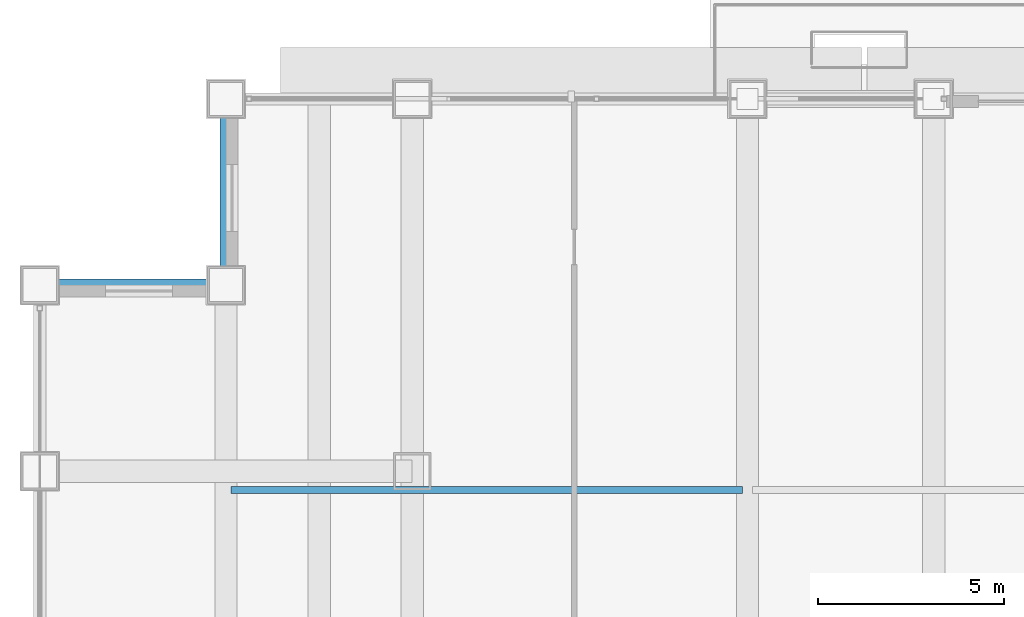
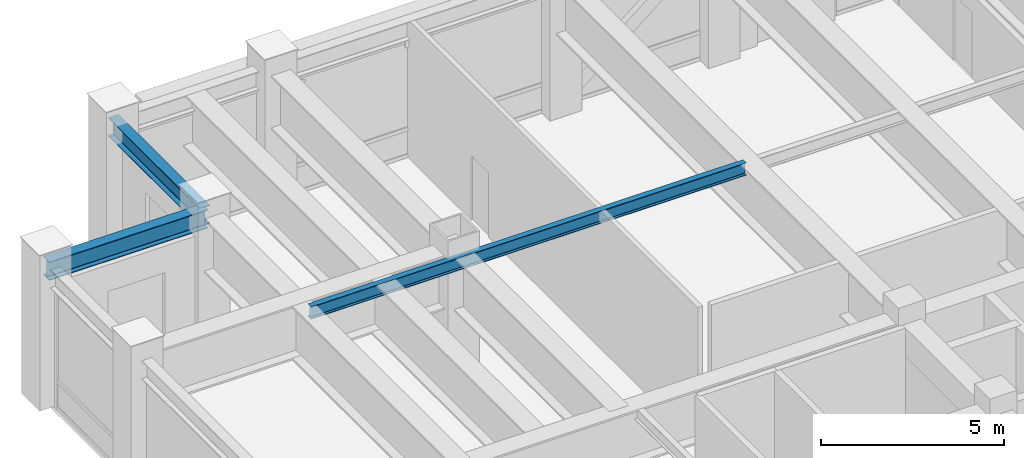
# One storey, part 15 of 33: 3 beams.
"""IFC4 building model written with IfcOpenShell, lengths in metres."""

import ifcopenshell
import ifcopenshell.guid

model = None  # the IFC model being written
_history = None  # IfcOwnerHistory: only IFC2X3 demands one
_inside = {}  # id of a spatial element -> (the spatial element, [elements in it])
_under = {}  # id of a project, library or spatial element -> (it, [spatial elements below it])
_declared = {}  # id of a project -> (the project, [libraries it declares])
_typed = {}  # id of a type object -> (the type object, [elements of that type])
_made_of = {}  # id of a material, layer set ... -> (it, [elements and type objects made of it])


def new_model(schema):
    """Start an empty IFC model of exactly this schema.

    Asked for "IFC4X3", IfcOpenShell would pick the latest addendum, in which some entities
    have other attributes; the version numbers below select the first issue.
    IFC2X3 requires an IfcOwnerHistory on every rooted entity: one is made here for all.
    """
    global model, _history
    if schema == "IFC4X3":
        model = ifcopenshell.file(schema_version=(4, 3, 0, 0))
    else:
        model = ifcopenshell.file(schema=schema)
    _inside.clear()
    _under.clear()
    _declared.clear()
    _typed.clear()
    _made_of.clear()
    _history = None
    if model.schema == "IFC2X3":
        org = make("IfcOrganization", Name="unknown")
        user = make(
            "IfcPersonAndOrganization",
            ThePerson=make("IfcPerson", FamilyName="unknown"),
            TheOrganization=org,
        )
        app = make(
            "IfcApplication",
            ApplicationDeveloper=org,
            Version="unknown",
            ApplicationFullName="unknown",
            ApplicationIdentifier="unknown",
        )
        _history = make(
            "IfcOwnerHistory",
            OwningUser=user,
            OwningApplication=app,
            ChangeAction="ADDED",
            CreationDate=0,
        )
    return model


def make(cls, **values):
    """One entity of the class cls with the attributes given. An attribute that is None is left unset."""
    return model.create_entity(
        cls, **{name: value for name, value in values.items() if value is not None}
    )


def rooted(cls, **values):
    """An entity with a GlobalId (a new one), such as an element, a storey or a relation."""
    return make(cls, GlobalId=ifcopenshell.guid.new(), OwnerHistory=_history, **values)


def si_unit(unit_type, name, prefix=None):
    """IfcSIUnit, for example si_unit("LENGTHUNIT", "METRE", prefix="MILLI")."""
    return make("IfcSIUnit", UnitType=unit_type, Prefix=prefix, Name=name)


def assignment(units):
    """IfcUnitAssignment: the units of a project."""
    return None if units is None else make("IfcUnitAssignment", Units=units)


def point(xyz):
    """IfcCartesianPoint."""
    return None if xyz is None else make("IfcCartesianPoint", Coordinates=xyz)


def direction(xyz):
    """IfcDirection."""
    return None if xyz is None else make("IfcDirection", DirectionRatios=xyz)


def frame(location, z_axis=None, x_axis=None):
    """IfcAxis2Placement3D, a coordinate frame: its origin and axes. An axis left out is left unset."""
    return make(
        "IfcAxis2Placement3D",
        Location=point(location),
        Axis=direction(z_axis),
        RefDirection=direction(x_axis),
    )


def frame_2d(location, x_axis=None):
    """IfcAxis2Placement2D, a coordinate frame in the plane: its origin and x axis."""
    return make(
        "IfcAxis2Placement2D", Location=point(location), RefDirection=direction(x_axis)
    )


def origin():
    """The frame at (0, 0, 0) with its axes left unset."""
    return frame((0.0, 0.0, 0.0))


def origin_2d():
    """The frame at (0, 0) in the plane with its x axis left unset."""
    return frame_2d((0.0, 0.0))


def place(relative_to, where):
    """IfcLocalPlacement: puts the frame where relative to a parent placement (None: the world)."""
    return make(
        "IfcLocalPlacement", PlacementRelTo=relative_to, RelativePlacement=where
    )


def context(
    kind, dimensions, precision=None, world=None, true_north=None, identifier=None
):
    """IfcGeometricRepresentationContext, for example the 3D "Model" context."""
    return make(
        "IfcGeometricRepresentationContext",
        ContextIdentifier=identifier,
        ContextType=kind,
        CoordinateSpaceDimension=dimensions,
        Precision=precision,
        WorldCoordinateSystem=world,
        TrueNorth=true_north,
    )


def subcontext(parent, identifier, kind, view, scale=None):
    """IfcGeometricRepresentationSubContext, for example "Body" below "Model"."""
    return make(
        "IfcGeometricRepresentationSubContext",
        ContextIdentifier=identifier,
        ContextType=kind,
        ParentContext=parent,
        TargetScale=scale,
        TargetView=view,
    )


def project(units=None, contexts=None):
    """IfcProject with its units and contexts."""
    return rooted(
        "IfcProject",
        Name="project",
        RepresentationContexts=contexts,
        UnitsInContext=assignment(units),
    )


def spatial(cls, under=None, at=None, **own):
    """A site, building, storey or space (cls), placed at a placement, below another one or the project."""
    s = rooted(cls, ObjectPlacement=at, **own)
    if under is not None:
        _under.setdefault(under.id(), (under, []))[1].append(s)
    return s


def profile(cls, at=None, kind="AREA", **sizes):
    """A parametric profile (cls). Its sizes go by their IFC names, for example OverallWidth=200.0."""
    return make(cls, ProfileType=kind, Position=at, **sizes)


def i_section(**sizes):
    """IfcIShapeProfileDef."""
    return profile("IfcIShapeProfileDef", **sizes)


def extrude(swept, where, along, depth):
    """IfcExtrudedAreaSolid: the profile swept, set in the frame where, extruded along a direction by depth."""
    return make(
        "IfcExtrudedAreaSolid",
        SweptArea=swept,
        Position=where,
        ExtrudedDirection=direction(along),
        Depth=depth,
    )


def shape(context_of_items, identifier, shape_type, items):
    """IfcShapeRepresentation: the items that make up one representation, for example the "Body"."""
    return make(
        "IfcShapeRepresentation",
        ContextOfItems=context_of_items,
        RepresentationIdentifier=identifier,
        RepresentationType=shape_type,
        Items=items,
    )


def source(mapping_origin, context_of_items, identifier, shape_type, items):
    """IfcRepresentationMap: a shape defined once, which mapped items show again and again."""
    return make(
        "IfcRepresentationMap",
        MappingOrigin=mapping_origin,
        MappedRepresentation=shape(context_of_items, identifier, shape_type, items),
    )


def transform(
    local_origin,
    x_axis=None,
    y_axis=None,
    z_axis=None,
    scale=None,
    scale2=None,
    scale3=None,
    uniform=True,
):
    """IfcCartesianTransformationOperator3D, or its non-uniform kind. x_axis, y_axis, z_axis: its Axis1, 2, 3."""
    if uniform:
        return make(
            "IfcCartesianTransformationOperator3D",
            Axis1=direction(x_axis),
            Axis2=direction(y_axis),
            LocalOrigin=point(local_origin),
            Scale=scale,
            Axis3=direction(z_axis),
        )
    return make(
        "IfcCartesianTransformationOperator3DnonUniform",
        Axis1=direction(x_axis),
        Axis2=direction(y_axis),
        LocalOrigin=point(local_origin),
        Scale=scale,
        Axis3=direction(z_axis),
        Scale2=scale2,
        Scale3=scale3,
    )


def mapped(mapping_source, mapping_target):
    """IfcMappedItem: shows the shape of a source again, moved by a transform."""
    return make(
        "IfcMappedItem", MappingSource=mapping_source, MappingTarget=mapping_target
    )


def material(Name=None, Category=None):
    """IfcMaterial."""
    return make("IfcMaterial", Name=Name, Category=Category)


def material_profile(
    of_material, cross_section, Name=None, Category=None, Priority=None
):
    """IfcMaterialProfile: a cross section and its material."""
    return make(
        "IfcMaterialProfile",
        Name=Name,
        Material=of_material,
        Profile=cross_section,
        Priority=Priority,
        Category=Category,
    )


def profile_set(profiles, Name=None, composite=None):
    """IfcMaterialProfileSet."""
    return make(
        "IfcMaterialProfileSet",
        Name=Name,
        MaterialProfiles=profiles,
        CompositeProfile=composite,
    )


def made_of(thing, what):
    """Note that an element or type object is made of a material, layer set ...; save() writes the relation."""
    if what is not None:
        _made_of.setdefault(what.id(), (what, []))[1].append(thing)
    return thing


def type_object(cls, material=None, **own):
    """A type object (cls), such as IfcWallType, which elements share."""
    return made_of(rooted(cls, **own), material)


def element(
    cls,
    number,
    at=None,
    inside=None,
    cuts=None,
    type_object=None,
    material=None,
    context=None,
    identifier="Body",
    shape_type=None,
    held_by="IfcProductDefinitionShape",
    body=None,
    shapes=None,
    **own,
):
    """One element of the class cls, such as IfcWall. Its Tag is "e" and its number.

    at: its placement. inside: the storey or other place that contains it. cuts: it is an
    opening in that element (IfcRelVoidsElement). A single representation is given by context,
    identifier, shape_type and body (its items); several are given by shapes. held_by: the class
    of the entity that holds the representations. save() writes the other relations.
    """
    e = rooted(cls, Tag="e%d" % number, ObjectPlacement=at, **own)
    if body is not None:
        shapes = [shape(context, identifier, shape_type, body)]
    if shapes is not None:
        e.Representation = make(held_by, Representations=shapes)
    if inside is not None:
        _inside.setdefault(inside.id(), (inside, []))[1].append(e)
    if cuts is not None:
        rooted(
            "IfcRelVoidsElement", RelatingBuildingElement=cuts, RelatedOpeningElement=e
        )
    if type_object is not None:
        _typed.setdefault(type_object.id(), (type_object, []))[1].append(e)
    return made_of(e, material)


def aggregate(whole, parts):
    """IfcRelAggregates: a whole, such as a stair, and the parts it consists of."""
    return rooted("IfcRelAggregates", RelatingObject=whole, RelatedObjects=parts)


def save(model, path):
    """Write the relations noted so far, then the file.

    IfcRelAggregates (storeys below a building ...), IfcRelContainedInSpatialStructure (elements
    in a storey), IfcRelDefinesByType, IfcRelAssociatesMaterial and IfcRelDeclares: one each for
    every whole, place, type object, material and project.
    """
    for whole, parts in _under.values():
        aggregate(whole, parts)
    for where, things in _inside.values():
        rooted(
            "IfcRelContainedInSpatialStructure",
            RelatedElements=things,
            RelatingStructure=where,
        )
    for kind, things in _typed.values():
        rooted("IfcRelDefinesByType", RelatedObjects=things, RelatingType=kind)
    for what, things in _made_of.values():
        rooted("IfcRelAssociatesMaterial", RelatedObjects=things, RelatingMaterial=what)
    for by, libraries in _declared.values():
        rooted("IfcRelDeclares", RelatingContext=by, RelatedDefinitions=libraries)
    model.write(path)


model = new_model("IFC4")

# Units and contexts
model_context = context("Model", 3, precision=1e-05, world=origin(), true_north=direction((0.0, 1.0)))
body_context = subcontext(model_context, "Body", "Model", "MODEL_VIEW")
ifc_project = project(units=[si_unit("LENGTHUNIT", "METRE"), si_unit("AREAUNIT", "SQUARE_METRE"), si_unit("VOLUMEUNIT", "CUBIC_METRE"), si_unit("PLANEANGLEUNIT", "RADIAN"), si_unit("MASSUNIT", "GRAM", prefix="KILO")], contexts=[model_context])

# Site, building, storey
site_placement = place(None, origin())
site = spatial("IfcSite", under=ifc_project, at=site_placement, CompositionType="ELEMENT")
building_placement = place(site_placement, origin())
building = spatial("IfcBuilding", under=site, at=building_placement, Name="Khorayat Bourse Tower", CompositionType="ELEMENT")
storey_placement = place(building_placement, frame((0.0, 0.0, 263.10009765625)))
storey = spatial("IfcBuildingStorey", under=building, at=storey_placement, Name="L62", CompositionType="ELEMENT", Elevation=263.10009765625)

# Beams
ifc_material = material(Name="Steel ASTM A992 Grade 50", Category="steel")
ifc_material_profile_1 = material_profile(ifc_material, i_section(OverallWidth=0.324951171875, OverallDepth=0.615966796875, WebThickness=0.013916015625, FlangeThickness=0.021484375, FilletRadius=0.01611328125, at=origin_2d()), Name="W610X174")
ifc_profile_set_1 = profile_set([ifc_material_profile_1], Name="Steel ASTM A992 Grade 50")
beam_type_1 = type_object("IfcBeamType", Name="BM-SPAN-610", PredefinedType="SPANDREL", material=ifc_profile_set_1)
shared_shape_1 = source(origin(), body_context, "Body", "SweptSolid", [
    extrude(i_section(OverallWidth=0.324951171875, OverallDepth=0.615966796875, WebThickness=0.013916015625, FlangeThickness=0.021484375, FilletRadius=0.01611328125, at=origin_2d()), origin(), (0.0, 0.0, 1.0), 5.0),
])
for number, where, z_axis, x_axis, name in (
    (1, (-25.0, 25.0, 4.2919921875), (0.0, 1.0, 0.0), (-1.0, 0.0, 0.0), "L62 BM-SPAN-610 BM-L62-SPN-052"),
    (2, (-30.0, 25.0, 4.2919921875), (1.0, 0.0, 0.0), (0.0, 1.0, 0.0), "L62 BM-SPAN-610 BM-L62-SPN-053"),
):
    element("IfcBeam", number, at=place(storey_placement, frame(where, z_axis=z_axis, x_axis=x_axis)), inside=storey, type_object=beam_type_1, Name=name, PredefinedType="SPANDREL", context=body_context, shape_type="MappedRepresentation", body=[
        mapped(shared_shape_1, transform((0.0, 0.0, 0.0), scale=1.0)),
    ])
ifc_material_profile_2 = material_profile(ifc_material, i_section(OverallWidth=0.180908203125, OverallDepth=0.4169921875, WebThickness=0.010986328125, FlangeThickness=0.018310546875, FilletRadius=0.011962890625, at=origin_2d()), Name="W410X85")
ifc_profile_set_2 = profile_set([ifc_material_profile_2], Name="Steel ASTM A992 Grade 50")
beam_type_2 = type_object("IfcBeamType", Name="BM-JOIST-410", PredefinedType="JOIST", material=ifc_profile_set_2)
shared_shape_2 = source(origin(), body_context, "Body", "SweptSolid", [
    extrude(i_section(OverallWidth=0.180908203125, OverallDepth=0.4169921875, WebThickness=0.010986328125, FlangeThickness=0.018310546875, FilletRadius=0.011962890625, at=origin_2d()), origin(), (0.0, 0.0, 1.0), 13.740234375),
])
beam_placement = place(storey_placement, frame((-24.8701171875, 19.5, 4.391357421875), z_axis=(1.0, 0.0, 0.0), x_axis=(0.0, 1.0, 0.0)))
element("IfcBeam", 3, at=beam_placement, inside=storey, type_object=beam_type_2, Name="L62 BM-JOIST-410 BM-L62-JSTX-107", PredefinedType="JOIST", context=body_context, shape_type="MappedRepresentation", body=[
    mapped(shared_shape_2, transform((0.0, 0.0, 0.0), scale=1.0)),
])

save(model, "model.ifc")
